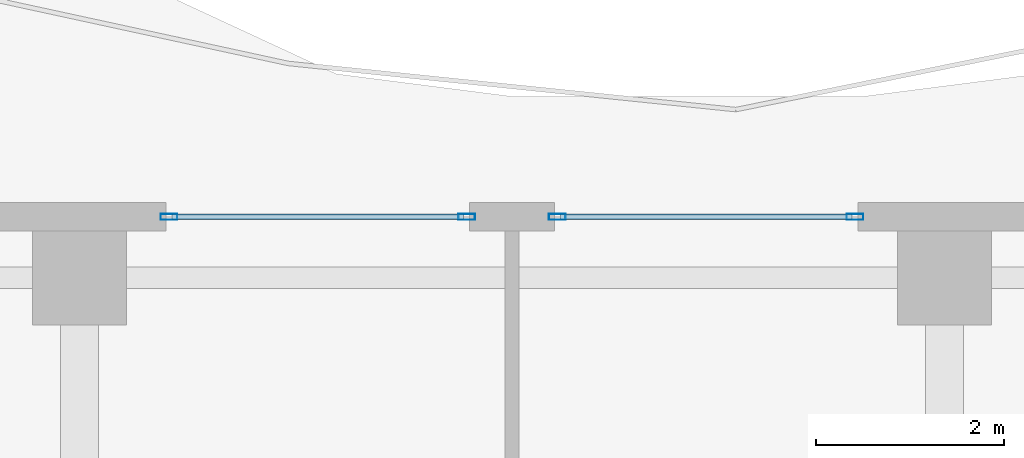
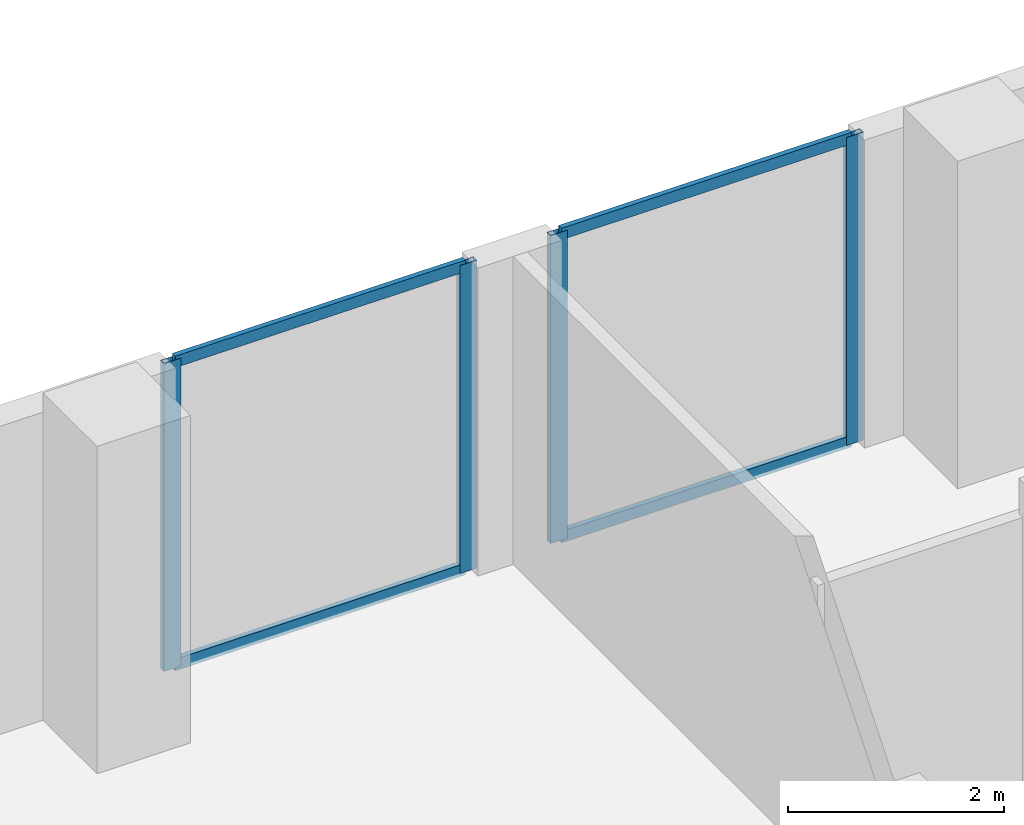
# One storey, part 15 of 25: 8 members, 2 elements without a shape of their own.
"""IFC4 building model written with IfcOpenShell, lengths in metres."""

from ifc_helpers import new_model, si_unit, direction, frame, origin, origin_2d, place, context, subcontext, project, spatial, hollow_rectangle, extrude, material, layer, layer_set, material_profile, profile_set, type_object, element, aggregate, save


model = new_model("IFC4")

# Units and contexts
model_context = context("Model", 3, precision=1e-05, world=origin(), true_north=direction((0.0, 1.0)))
body_context = subcontext(model_context, "Body", "Model", "MODEL_VIEW")
ifc_project = project(units=[si_unit("LENGTHUNIT", "METRE"), si_unit("AREAUNIT", "SQUARE_METRE"), si_unit("VOLUMEUNIT", "CUBIC_METRE"), si_unit("PLANEANGLEUNIT", "RADIAN"), si_unit("MASSUNIT", "GRAM", prefix="KILO")], contexts=[model_context])

# Site, building, storey
site_placement = place(None, origin())
site = spatial("IfcSite", under=ifc_project, at=site_placement, CompositionType="ELEMENT")
building_placement = place(site_placement, origin())
building = spatial("IfcBuilding", under=site, at=building_placement, Name="Zuhayl Quay Hotel", CompositionType="ELEMENT")
storey_placement = place(building_placement, frame((0.0, 0.0, 258.14990234375)))
storey = spatial("IfcBuildingStorey", under=building, at=storey_placement, Name="L65", CompositionType="ELEMENT", Elevation=258.14990234375)

# Curtain wall, members
ifc_material_1 = material(Name="Anodised Aluminium 6063-T6", Category="aluminium")
ifc_layer = layer(ifc_material_1, 0.169921875, Name="Anodised Aluminium 6063-T6", Category="aluminium")
ifc_layer_set = layer_set([ifc_layer], Name="Anodised Aluminium 6063-T6")
curtain_wall_type = type_object("IfcCurtainWallType", Name="CW_SYS_Z4", PredefinedType="USERDEFINED", material=ifc_layer_set)
curtain_wall_1_placement = place(storey_placement, origin())
curtain_wall_1 = element("IfcCurtainWall", 1, at=curtain_wall_1_placement, inside=storey, type_object=curtain_wall_type, Name="L65 Curtain Wall ENV_L65_N_CW2", ObjectType="UNITISED CURTAIN WALL", PredefinedType="USERDEFINED")
ifc_material_2 = material(Name="Black-anodised aluminium 6063-T6", Category="aluminium")
ifc_material_profile_1 = material_profile(ifc_material_2, hollow_rectangle(XDim=0.06494140625, YDim=0.179931640625, WallThickness=0.00341796875, at=origin_2d()), Name="ALU180X65")
ifc_profile_set_1 = profile_set([ifc_material_profile_1], Name="Black-anodised aluminium 6063-T6")
member_type_1 = type_object("IfcMemberType", Name="MB_CW_MUL_180", PredefinedType="MULLION", material=ifc_profile_set_1)
member_1_placement = place(storey_placement, frame((-3.6474609375, 39.0, 0.0), z_axis=(0.0, 0.0, 1.0), x_axis=(0.0, 1.0, 0.0)))
member_1 = element("IfcMember", 2, at=member_1_placement, type_object=member_type_1, Name="CW-Z4 mullion 1", PredefinedType="MULLION", context=body_context, shape_type="SweptSolid", body=[
    extrude(hollow_rectangle(XDim=0.06494140625, YDim=0.179931640625, WallThickness=0.00341796875, at=origin_2d()), origin(), (0.0, 0.0, 1.0), 3.47998046875),
])
member_2_placement = place(storey_placement, frame((-0.482421875, 39.0, 0.0), z_axis=(0.0, 0.0, 1.0), x_axis=(0.0, 1.0, 0.0)))
member_2 = element("IfcMember", 3, at=member_2_placement, type_object=member_type_1, Name="CW-Z4 mullion 2", PredefinedType="MULLION", context=body_context, shape_type="SweptSolid", body=[
    extrude(hollow_rectangle(XDim=0.06494140625, YDim=0.179931640625, WallThickness=0.00341796875, at=origin_2d()), origin(), (0.0, 0.0, 1.0), 3.47998046875),
])

curtain_wall_2_placement = place(storey_placement, origin())
curtain_wall_2 = element("IfcCurtainWall", 4, at=curtain_wall_2_placement, inside=storey, type_object=curtain_wall_type, Name="L65 Curtain Wall ENV_L65_N_CW3", ObjectType="UNITISED CURTAIN WALL", PredefinedType="USERDEFINED")
member_3_placement = place(storey_placement, frame((0.482421875, 39.0, 0.0), z_axis=(0.0, 0.0, 1.0), x_axis=(0.0, 1.0, 0.0)))
member_3 = element("IfcMember", 5, at=member_3_placement, type_object=member_type_1, Name="CW-Z4 mullion 1", PredefinedType="MULLION", context=body_context, shape_type="SweptSolid", body=[
    extrude(hollow_rectangle(XDim=0.06494140625, YDim=0.179931640625, WallThickness=0.00341796875, at=origin_2d()), origin(), (0.0, 0.0, 1.0), 3.47998046875),
])
member_4_placement = place(storey_placement, frame((3.6474609375, 39.0, 0.0), z_axis=(0.0, 0.0, 1.0), x_axis=(0.0, 1.0, 0.0)))
member_4 = element("IfcMember", 6, at=member_4_placement, type_object=member_type_1, Name="CW-Z4 mullion 2", PredefinedType="MULLION", context=body_context, shape_type="SweptSolid", body=[
    extrude(hollow_rectangle(XDim=0.06494140625, YDim=0.179931640625, WallThickness=0.00341796875, at=origin_2d()), origin(), (0.0, 0.0, 1.0), 3.47998046875),
])

# Member
ifc_material_profile_2 = material_profile(ifc_material_2, hollow_rectangle(XDim=0.054931640625, YDim=0.1298828125, WallThickness=0.0029296875, at=origin_2d()), Name="ALU130X55")
ifc_profile_set_2 = profile_set([ifc_material_profile_2], Name="Black-anodised aluminium 6063-T6")
member_type_2 = type_object("IfcMemberType", Name="MB_CW_TRN_130", PredefinedType="USERDEFINED", material=ifc_profile_set_2)
member_5_placement = place(storey_placement, frame((-3.614990234375, 39.0, 0.027587890625), z_axis=(1.0, 0.0, 0.0), x_axis=(0.0, 1.0, 0.0)))
member_5 = element("IfcMember", 7, at=member_5_placement, type_object=member_type_2, Name="CW-Z4 transom 1.1", ObjectType="TRANSOM", PredefinedType="USERDEFINED", context=body_context, shape_type="SweptSolid", body=[
    extrude(hollow_rectangle(XDim=0.054931640625, YDim=0.1298828125, WallThickness=0.0029296875, at=origin_2d()), origin(), (0.0, 0.0, 1.0), 3.10009765625),
])

member_6_placement = place(storey_placement, frame((-3.614990234375, 39.0, 3.45263671875), z_axis=(1.0, 0.0, 0.0), x_axis=(0.0, 1.0, 0.0)))
member_6 = element("IfcMember", 8, at=member_6_placement, type_object=member_type_2, Name="CW-Z4 transom 1.2", ObjectType="TRANSOM", PredefinedType="USERDEFINED", context=body_context, shape_type="SweptSolid", body=[
    extrude(hollow_rectangle(XDim=0.054931640625, YDim=0.1298828125, WallThickness=0.0029296875, at=origin_2d()), origin(), (0.0, 0.0, 1.0), 3.10009765625),
])

aggregate(curtain_wall_1, [member_1, member_2, member_5, member_6])

member_7_placement = place(storey_placement, frame((0.514892578125, 39.0, 0.027587890625), z_axis=(1.0, 0.0, 0.0), x_axis=(0.0, 1.0, 0.0)))
member_7 = element("IfcMember", 9, at=member_7_placement, type_object=member_type_2, Name="CW-Z4 transom 1.1", ObjectType="TRANSOM", PredefinedType="USERDEFINED", context=body_context, shape_type="SweptSolid", body=[
    extrude(hollow_rectangle(XDim=0.054931640625, YDim=0.1298828125, WallThickness=0.0029296875, at=origin_2d()), origin(), (0.0, 0.0, 1.0), 3.10009765625),
])

member_8_placement = place(storey_placement, frame((0.514892578125, 39.0, 3.45263671875), z_axis=(1.0, 0.0, 0.0), x_axis=(0.0, 1.0, 0.0)))
member_8 = element("IfcMember", 10, at=member_8_placement, type_object=member_type_2, Name="CW-Z4 transom 1.2", ObjectType="TRANSOM", PredefinedType="USERDEFINED", context=body_context, shape_type="SweptSolid", body=[
    extrude(hollow_rectangle(XDim=0.054931640625, YDim=0.1298828125, WallThickness=0.0029296875, at=origin_2d()), origin(), (0.0, 0.0, 1.0), 3.10009765625),
])

aggregate(curtain_wall_2, [member_3, member_4, member_7, member_8])

save(model, "model.ifc")
